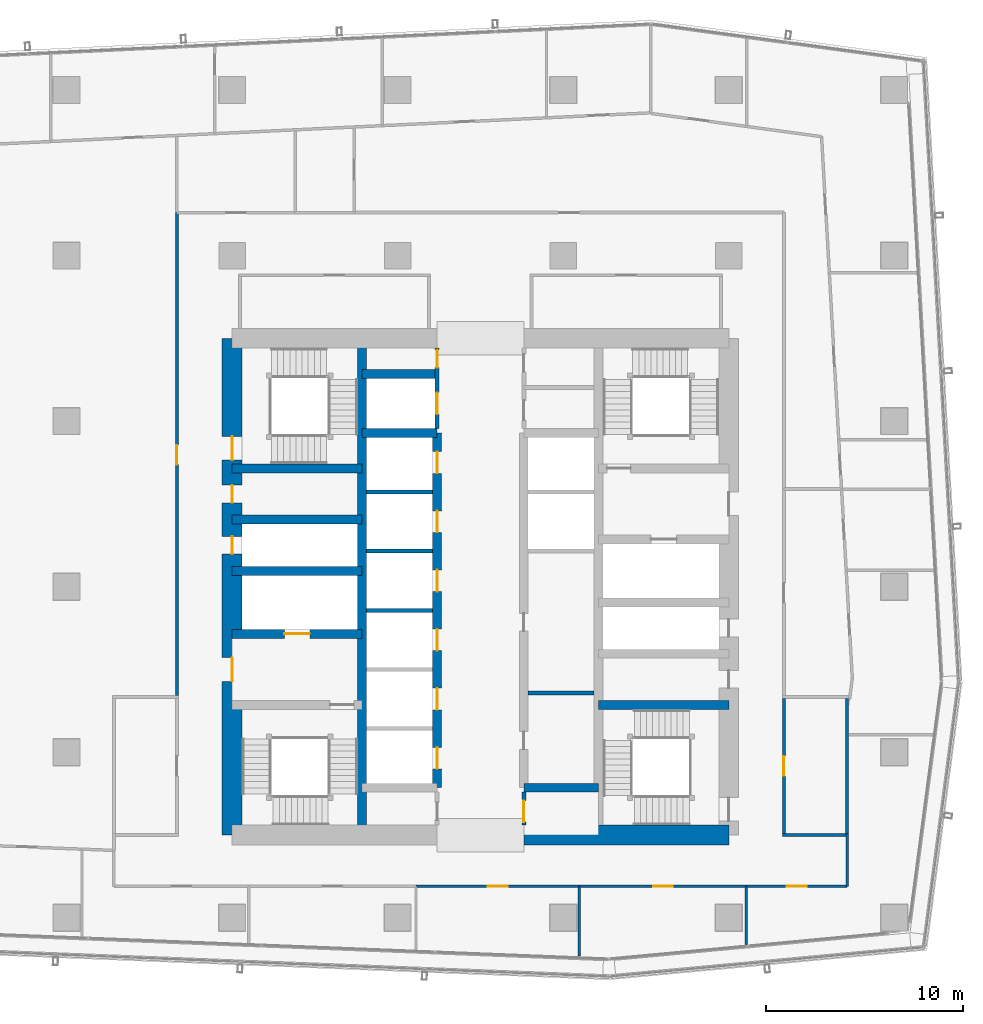
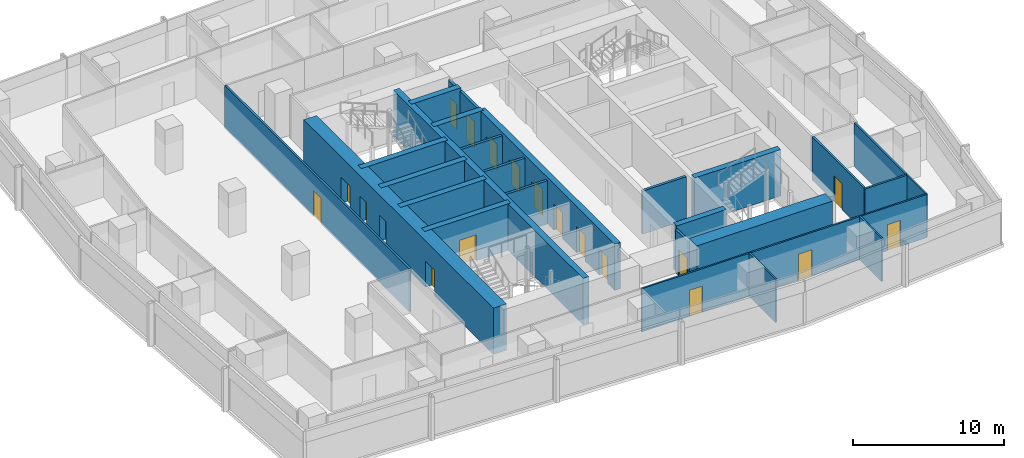
# One storey, part 28 of 39: 28 walls, 19 doors, 19 openings.
"""IFC4 building model written with IfcOpenShell, lengths in metres."""

from ifc_helpers import new_model, si_unit, direction, frame, frame_2d, origin, place, context, subcontext, project, spatial, rectangle, extrude, material, layer, layer_set, type_object, element, fill, save


model = new_model("IFC4")

# Units and contexts
model_context = context("Model", 3, precision=1e-05, world=origin(), true_north=direction((0.0, 1.0)))
body_context = subcontext(model_context, "Body", "Model", "MODEL_VIEW")
ifc_project = project(units=[si_unit("LENGTHUNIT", "METRE"), si_unit("AREAUNIT", "SQUARE_METRE"), si_unit("VOLUMEUNIT", "CUBIC_METRE"), si_unit("PLANEANGLEUNIT", "RADIAN"), si_unit("MASSUNIT", "GRAM", prefix="KILO")], contexts=[model_context])

# Site, building, storey
site_placement = place(None, origin())
site = spatial("IfcSite", under=ifc_project, at=site_placement, CompositionType="ELEMENT")
building_placement = place(site_placement, origin())
building = spatial("IfcBuilding", under=site, at=building_placement, Name="Rekha Terrace Tower", CompositionType="ELEMENT")
storey_placement = place(building_placement, frame((0.0, 0.0, 187.699951171875)))
storey = spatial("IfcBuildingStorey", under=building, at=storey_placement, Name="L47", CompositionType="ELEMENT", Elevation=187.699951171875)

# Wall
ifc_material_1 = material(Name="Concrete M60", Category="concrete")
ifc_layer_1 = layer(ifc_material_1, 0.449951171875)
ifc_layer_set_1 = layer_set([ifc_layer_1], Name="Concrete M60")
wall_type_1 = type_object("IfcWallType", Name="CI3 450 core internal shear wall", PredefinedType="SHEAR", material=ifc_layer_set_1)
wall_1_placement = place(storey_placement, frame((31.800048828125, 21.0, 0.0), z_axis=(0.0, 0.0, 1.0), x_axis=(0.0, 1.0, 0.0)))
element("IfcWall", 1, at=wall_1_placement, inside=storey, type_object=wall_type_1, Name="Core wall X318 L47", PredefinedType="SHEAR", context=body_context, shape_type="SweptSolid", body=[
    extrude(rectangle(XDim=25.199951171875, YDim=0.449951171875, at=frame_2d((12.60009765625, 0.0))), origin(), (0.0, 0.0, 1.0), 3.75),
])

# Wall, openings, doors
wall_2_placement = place(storey_placement, frame((35.60009765625, 23.39990234375, 0.0), z_axis=(0.0, 0.0, 1.0), x_axis=(0.0, 1.0, 0.0)))
wall_2 = element("IfcWall", 2, at=wall_2_placement, inside=storey, type_object=wall_type_1, Name="Core wall X356 L47", PredefinedType="SHEAR", context=body_context, shape_type="SweptSolid", body=[
    extrude(rectangle(XDim=18.0, YDim=0.449951171875, at=frame_2d((9.0, 0.0))), origin(), (0.0, 0.0, 1.0), 3.75),
])
opening_1_placement = place(wall_2_placement, frame((0.949951171875, 0.0, 0.0)))
opening_1 = element("IfcOpeningElement", 3, at=opening_1_placement, cuts=wall_2, Name="Opening LD1", PredefinedType="OPENING", context=body_context, shape_type="SweptSolid", body=[
    extrude(rectangle(XDim=1.10009765625, YDim=2.10009765625, at=frame_2d((0.550048828125, 1.050048828125))), frame((0.0, 0.23486328125, 0.0), z_axis=(0.0, -1.0, 0.0), x_axis=(1.0, 0.0, 0.0)), (0.0, 0.0, 1.0), 0.469970703125),
])
opening_2_placement = place(wall_2_placement, frame((3.949951171875, 0.0, 0.0)))
opening_2 = element("IfcOpeningElement", 4, at=opening_2_placement, cuts=wall_2, Name="Opening LD1", PredefinedType="OPENING", context=body_context, shape_type="SweptSolid", body=[
    extrude(rectangle(XDim=1.10009765625, YDim=2.10009765625, at=frame_2d((0.550048828125, 1.050048828125))), frame((0.0, 0.23486328125, 0.0), z_axis=(0.0, -1.0, 0.0), x_axis=(1.0, 0.0, 0.0)), (0.0, 0.0, 1.0), 0.469970703125),
])
opening_3_placement = place(wall_2_placement, frame((6.949951171875, 0.0, 0.0)))
opening_3 = element("IfcOpeningElement", 5, at=opening_3_placement, cuts=wall_2, Name="Opening LD1", PredefinedType="OPENING", context=body_context, shape_type="SweptSolid", body=[
    extrude(rectangle(XDim=1.10009765625, YDim=2.10009765625, at=frame_2d((0.550048828125, 1.050048828125))), frame((0.0, 0.23486328125, 0.0), z_axis=(0.0, -1.0, 0.0), x_axis=(1.0, 0.0, 0.0)), (0.0, 0.0, 1.0), 0.469970703125),
])
opening_4_placement = place(wall_2_placement, frame((9.949951171875, 0.0, 0.0)))
opening_4 = element("IfcOpeningElement", 6, at=opening_4_placement, cuts=wall_2, Name="Opening LD1", PredefinedType="OPENING", context=body_context, shape_type="SweptSolid", body=[
    extrude(rectangle(XDim=1.10009765625, YDim=2.10009765625, at=frame_2d((0.550048828125, 1.050048828125))), frame((0.0, 0.23486328125, 0.0), z_axis=(0.0, -1.0, 0.0), x_axis=(1.0, 0.0, 0.0)), (0.0, 0.0, 1.0), 0.469970703125),
])
opening_5_placement = place(wall_2_placement, frame((12.949951171875, 0.0, 0.0)))
opening_5 = element("IfcOpeningElement", 7, at=opening_5_placement, cuts=wall_2, Name="Opening LD1", PredefinedType="OPENING", context=body_context, shape_type="SweptSolid", body=[
    extrude(rectangle(XDim=1.10009765625, YDim=2.10009765625, at=frame_2d((0.550048828125, 1.050048828125))), frame((0.0, 0.23486328125, 0.0), z_axis=(0.0, -1.0, 0.0), x_axis=(1.0, 0.0, 0.0)), (0.0, 0.0, 1.0), 0.469970703125),
])
opening_6_placement = place(wall_2_placement, frame((15.949951171875, 0.0, 0.0)))
opening_6 = element("IfcOpeningElement", 8, at=opening_6_placement, cuts=wall_2, Name="Opening LD1", PredefinedType="OPENING", context=body_context, shape_type="SweptSolid", body=[
    extrude(rectangle(XDim=1.10009765625, YDim=2.10009765625, at=frame_2d((0.550048828125, 1.050048828125))), frame((0.0, 0.23486328125, 0.0), z_axis=(0.0, -1.0, 0.0), x_axis=(1.0, 0.0, 0.0)), (0.0, 0.0, 1.0), 0.469970703125),
])
ifc_material_2 = material(Name="Stainless steel sliding landing door", Category="steel")
door_type_1 = type_object("IfcDoorType", Name="LD1 1100x2100 lift landing door", OperationType="SLIDING_TO_LEFT", PredefinedType="USERDEFINED", material=ifc_material_2)
door_1_placement = place(opening_1_placement, origin())
door_1 = element("IfcDoor", 9, at=door_1_placement, inside=storey, type_object=door_type_1, Name="Lift C1 landing door L47", ObjectType="LIFT LANDING DOOR", OperationType="SLIDING_TO_LEFT", OverallHeight=2.10009765625, OverallWidth=1.10009765625, PredefinedType="USERDEFINED", context=body_context, shape_type="SweptSolid", body=[
    extrude(rectangle(XDim=1.10009765625, YDim=2.10009765625, at=frame_2d((0.550048828125, 1.050048828125))), frame((0.0, 0.02490234375, 0.0), z_axis=(0.0, -1.0, 0.0), x_axis=(1.0, 0.0, 0.0)), (0.0, 0.0, 1.0), 0.050048828125),
])
fill(opening_1, door_1)
door_2_placement = place(opening_2_placement, origin())
door_2 = element("IfcDoor", 10, at=door_2_placement, inside=storey, type_object=door_type_1, Name="Lift C2 landing door L47", ObjectType="LIFT LANDING DOOR", OperationType="SLIDING_TO_LEFT", OverallHeight=2.10009765625, OverallWidth=1.10009765625, PredefinedType="USERDEFINED", context=body_context, shape_type="SweptSolid", body=[
    extrude(rectangle(XDim=1.10009765625, YDim=2.10009765625, at=frame_2d((0.550048828125, 1.050048828125))), frame((0.0, 0.02490234375, 0.0), z_axis=(0.0, -1.0, 0.0), x_axis=(1.0, 0.0, 0.0)), (0.0, 0.0, 1.0), 0.050048828125),
])
fill(opening_2, door_2)
door_3_placement = place(opening_3_placement, origin())
door_3 = element("IfcDoor", 11, at=door_3_placement, inside=storey, type_object=door_type_1, Name="Lift C3 landing door L47", ObjectType="LIFT LANDING DOOR", OperationType="SLIDING_TO_LEFT", OverallHeight=2.10009765625, OverallWidth=1.10009765625, PredefinedType="USERDEFINED", context=body_context, shape_type="SweptSolid", body=[
    extrude(rectangle(XDim=1.10009765625, YDim=2.10009765625, at=frame_2d((0.550048828125, 1.050048828125))), frame((0.0, 0.02490234375, 0.0), z_axis=(0.0, -1.0, 0.0), x_axis=(1.0, 0.0, 0.0)), (0.0, 0.0, 1.0), 0.050048828125),
])
fill(opening_3, door_3)
door_4_placement = place(opening_4_placement, origin())
door_4 = element("IfcDoor", 12, at=door_4_placement, inside=storey, type_object=door_type_1, Name="Lift C4 landing door L47", ObjectType="LIFT LANDING DOOR", OperationType="SLIDING_TO_LEFT", OverallHeight=2.10009765625, OverallWidth=1.10009765625, PredefinedType="USERDEFINED", context=body_context, shape_type="SweptSolid", body=[
    extrude(rectangle(XDim=1.10009765625, YDim=2.10009765625, at=frame_2d((0.550048828125, 1.050048828125))), frame((0.0, 0.02490234375, 0.0), z_axis=(0.0, -1.0, 0.0), x_axis=(1.0, 0.0, 0.0)), (0.0, 0.0, 1.0), 0.050048828125),
])
fill(opening_4, door_4)
door_5_placement = place(opening_5_placement, origin())
door_5 = element("IfcDoor", 13, at=door_5_placement, inside=storey, type_object=door_type_1, Name="Lift C5 landing door L47", ObjectType="LIFT LANDING DOOR", OperationType="SLIDING_TO_LEFT", OverallHeight=2.10009765625, OverallWidth=1.10009765625, PredefinedType="USERDEFINED", context=body_context, shape_type="SweptSolid", body=[
    extrude(rectangle(XDim=1.10009765625, YDim=2.10009765625, at=frame_2d((0.550048828125, 1.050048828125))), frame((0.0, 0.02490234375, 0.0), z_axis=(0.0, -1.0, 0.0), x_axis=(1.0, 0.0, 0.0)), (0.0, 0.0, 1.0), 0.050048828125),
])
fill(opening_5, door_5)
door_6_placement = place(opening_6_placement, origin())
door_6 = element("IfcDoor", 14, at=door_6_placement, inside=storey, type_object=door_type_1, Name="Lift C6 landing door L47", ObjectType="LIFT LANDING DOOR", OperationType="SLIDING_TO_LEFT", OverallHeight=2.10009765625, OverallWidth=1.10009765625, PredefinedType="USERDEFINED", context=body_context, shape_type="SweptSolid", body=[
    extrude(rectangle(XDim=1.10009765625, YDim=2.10009765625, at=frame_2d((0.550048828125, 1.050048828125))), frame((0.0, 0.02490234375, 0.0), z_axis=(0.0, -1.0, 0.0), x_axis=(1.0, 0.0, 0.0)), (0.0, 0.0, 1.0), 0.050048828125),
])
fill(opening_6, door_6)

# Walls
for number, where, z_axis, x_axis, name in (
    (15, (31.800048828125, 41.39990234375, 0.0), (0.0, 0.0, 1.0), (1.0, 0.0, 0.0), "Core wall Y414W L47"),
    (16, (31.800048828125, 44.39990234375, 0.0), (0.0, 0.0, 1.0), (1.0, 0.0, 0.0), "Core wall Y444W L47"),
    (17, (40.0, 23.39990234375, 0.0), (0.0, 0.0, 1.0), (1.0, 0.0, 0.0), "Core wall Y234E L47"),
):
    element("IfcWall", number, at=place(storey_placement, frame(where, z_axis=z_axis, x_axis=x_axis)), inside=storey, type_object=wall_type_1, Name=name, PredefinedType="SHEAR", context=body_context, shape_type="SweptSolid", body=[
        extrude(rectangle(XDim=3.800048828125, YDim=0.449951171875, at=frame_2d((1.89990234375, 0.0))), origin(), (0.0, 0.0, 1.0), 3.75),
    ])

# Wall, opening, door
wall_3_placement = place(storey_placement, frame((25.199951171875, 31.199951171875, 0.0), z_axis=(0.0, 0.0, 1.0), x_axis=(1.0, 0.0, 0.0)))
wall_3 = element("IfcWall", 18, at=wall_3_placement, inside=storey, type_object=wall_type_1, Name="Core wall Y312W L47", PredefinedType="SHEAR", context=body_context, shape_type="SweptSolid", body=[
    extrude(rectangle(XDim=6.60009765625, YDim=0.449951171875, at=frame_2d((3.300048828125, 0.0))), origin(), (0.0, 0.0, 1.0), 3.75),
])
opening_7_placement = place(wall_3_placement, frame((2.64990234375, 0.0, 0.0)))
opening_7 = element("IfcOpeningElement", 19, at=opening_7_placement, cuts=wall_3, Name="Opening LD2", PredefinedType="OPENING", context=body_context, shape_type="SweptSolid", body=[
    extrude(rectangle(XDim=1.300048828125, YDim=2.10009765625, at=frame_2d((0.64990234375, 1.050048828125))), frame((0.0, 0.23486328125, 0.0), z_axis=(0.0, -1.0, 0.0), x_axis=(1.0, 0.0, 0.0)), (0.0, 0.0, 1.0), 0.469970703125),
])
door_type_2 = type_object("IfcDoorType", Name="LD2 1300x2100 fire lift landing door", OperationType="SLIDING_TO_LEFT", PredefinedType="USERDEFINED", material=ifc_material_2)
door_7_placement = place(opening_7_placement, origin())
door_7 = element("IfcDoor", 20, at=door_7_placement, inside=storey, type_object=door_type_2, Name="Lift FL1 landing door L47", ObjectType="LIFT LANDING DOOR", OperationType="SLIDING_TO_LEFT", OverallHeight=2.10009765625, OverallWidth=1.300048828125, PredefinedType="USERDEFINED", context=body_context, shape_type="SweptSolid", body=[
    extrude(rectangle(XDim=1.300048828125, YDim=2.10009765625, at=frame_2d((0.64990234375, 1.050048828125))), frame((0.0, 0.02490234375, 0.0), z_axis=(0.0, -1.0, 0.0), x_axis=(1.0, 0.0, 0.0)), (0.0, 0.0, 1.0), 0.050048828125),
])
fill(opening_7, door_7)

# Walls
for number, where, z_axis, x_axis, name in (
    (21, (25.199951171875, 34.39990234375, 0.0), (0.0, 0.0, 1.0), (1.0, 0.0, 0.0), "Core wall Y344W L47"),
    (22, (25.199951171875, 37.0, 0.0), (0.0, 0.0, 1.0), (1.0, 0.0, 0.0), "Core wall Y370W L47"),
    (23, (25.199951171875, 39.60009765625, 0.0), (0.0, 0.0, 1.0), (1.0, 0.0, 0.0), "Core wall Y396W L47"),
):
    element("IfcWall", number, at=place(storey_placement, frame(where, z_axis=z_axis, x_axis=x_axis)), inside=storey, type_object=wall_type_1, Name=name, PredefinedType="SHEAR", context=body_context, shape_type="SweptSolid", body=[
        extrude(rectangle(XDim=6.60009765625, YDim=0.449951171875, at=frame_2d((3.300048828125, 0.0))), origin(), (0.0, 0.0, 1.0), 3.75),
    ])
wall_4_placement = place(storey_placement, frame((43.800048828125, 27.60009765625, 0.0), z_axis=(0.0, 0.0, 1.0), x_axis=(1.0, 0.0, 0.0)))
element("IfcWall", 24, at=wall_4_placement, inside=storey, type_object=wall_type_1, Name="Core wall Y276E L47", PredefinedType="SHEAR", context=body_context, shape_type="SweptSolid", body=[
    extrude(rectangle(XDim=6.599853515625, YDim=0.449951171875, at=frame_2d((3.2998046875, 0.0))), origin(), (0.0, 0.0, 1.0), 3.75),
])
ifc_layer_2 = layer(ifc_material_1, 1.0)
ifc_layer_set_2 = layer_set([ifc_layer_2], Name="Concrete M60")
wall_type_2 = type_object("IfcWallType", Name="SW3 1000 core outer shear wall", PredefinedType="SHEAR", material=ifc_layer_set_2)
wall_5_placement = place(storey_placement, frame((40.0, 21.0, 0.0), z_axis=(0.0, 0.0, 1.0), x_axis=(1.0, 0.0, 0.0)))
element("IfcWall", 25, at=wall_5_placement, inside=storey, type_object=wall_type_2, Name="Core wall S2 L47", PredefinedType="SHEAR", context=body_context, shape_type="SweptSolid", body=[
    extrude(rectangle(XDim=10.39990234375, YDim=1.0, at=frame_2d((5.199951171875, 0.0))), origin(), (0.0, 0.0, 1.0), 3.75),
])

# Wall, openings, doors
wall_6_placement = place(storey_placement, frame((25.199951171875, 21.0, 0.0), z_axis=(0.0, 0.0, 1.0), x_axis=(0.0, 1.0, 0.0)))
wall_6 = element("IfcWall", 26, at=wall_6_placement, inside=storey, type_object=wall_type_2, Name="Core wall W L47", PredefinedType="SHEAR", context=body_context, shape_type="SweptSolid", body=[
    extrude(rectangle(XDim=25.199951171875, YDim=1.0, at=frame_2d((12.60009765625, 0.0))), origin(), (0.0, 0.0, 1.0), 3.75),
])
opening_8_placement = place(wall_6_placement, frame((7.800048828125, 0.0, 0.0)))
opening_8 = element("IfcOpeningElement", 27, at=opening_8_placement, cuts=wall_6, Name="Opening D2", PredefinedType="OPENING", context=body_context, shape_type="SweptSolid", body=[
    extrude(rectangle(XDim=1.199951171875, YDim=2.10009765625, at=frame_2d((0.60009765625, 1.050048828125))), frame((0.0, 0.510009765625, 0.0), z_axis=(0.0, -1.0, 0.0), x_axis=(1.0, 0.0, 0.0)), (0.0, 0.0, 1.0), 1.02001953125),
])
opening_9_placement = place(wall_6_placement, frame((14.25, 0.0, 0.0)))
opening_9 = element("IfcOpeningElement", 28, at=opening_9_placement, cuts=wall_6, Name="Opening D5", PredefinedType="OPENING", context=body_context, shape_type="SweptSolid", body=[
    extrude(rectangle(XDim=0.89990234375, YDim=2.10009765625, at=frame_2d((0.449951171875, 1.050048828125))), frame((0.0, 0.510009765625, 0.0), z_axis=(0.0, -1.0, 0.0), x_axis=(1.0, 0.0, 0.0)), (0.0, 0.0, 1.0), 1.02001953125),
])
opening_10_placement = place(wall_6_placement, frame((16.85009765625, 0.0, 0.0)))
opening_10 = element("IfcOpeningElement", 29, at=opening_10_placement, cuts=wall_6, Name="Opening D5", PredefinedType="OPENING", context=body_context, shape_type="SweptSolid", body=[
    extrude(rectangle(XDim=0.89990234375, YDim=2.10009765625, at=frame_2d((0.449951171875, 1.050048828125))), frame((0.0, 0.510009765625, 0.0), z_axis=(0.0, -1.0, 0.0), x_axis=(1.0, 0.0, 0.0)), (0.0, 0.0, 1.0), 1.02001953125),
])
opening_11_placement = place(wall_6_placement, frame((19.02490234375, 0.0, 0.0)))
opening_11 = element("IfcOpeningElement", 30, at=opening_11_placement, cuts=wall_6, Name="Opening D1", PredefinedType="OPENING", context=body_context, shape_type="SweptSolid", body=[
    extrude(rectangle(XDim=1.199951171875, YDim=2.10009765625, at=frame_2d((0.60009765625, 1.050048828125))), frame((0.0, 0.510009765625, 0.0), z_axis=(0.0, -1.0, 0.0), x_axis=(1.0, 0.0, 0.0)), (0.0, 0.0, 1.0), 1.02001953125),
])
ifc_material_3 = material(Name="Steel fire door", Category="steel")
door_type_3 = type_object("IfcDoorType", Name="D1 1200x2100 stair fire door", OperationType="SINGLE_SWING_RIGHT", PredefinedType="DOOR", material=ifc_material_3)
door_8_placement = place(opening_11_placement, origin())
door_8 = element("IfcDoor", 31, at=door_8_placement, inside=storey, type_object=door_type_3, Name="Stair ST4 door L47", OperationType="SINGLE_SWING_RIGHT", OverallHeight=2.10009765625, OverallWidth=1.199951171875, PredefinedType="DOOR", context=body_context, shape_type="SweptSolid", body=[
    extrude(rectangle(XDim=1.199951171875, YDim=2.10009765625, at=frame_2d((0.60009765625, 1.050048828125))), frame((0.0, 0.02490234375, 0.0), z_axis=(0.0, -1.0, 0.0), x_axis=(1.0, 0.0, 0.0)), (0.0, 0.0, 1.0), 0.050048828125),
])
fill(opening_11, door_8)
door_type_4 = type_object("IfcDoorType", Name="D2 1200x2100 firefighting lobby door", OperationType="SINGLE_SWING_LEFT", PredefinedType="DOOR", material=ifc_material_3)
door_9_placement = place(opening_8_placement, origin())
door_9 = element("IfcDoor", 32, at=door_9_placement, inside=storey, type_object=door_type_4, Name="Door flb1 L47", OperationType="SINGLE_SWING_LEFT", OverallHeight=2.10009765625, OverallWidth=1.199951171875, PredefinedType="DOOR", context=body_context, shape_type="SweptSolid", body=[
    extrude(rectangle(XDim=1.199951171875, YDim=2.10009765625, at=frame_2d((0.60009765625, 1.050048828125))), frame((0.0, 0.02490234375, 0.0), z_axis=(0.0, -1.0, 0.0), x_axis=(1.0, 0.0, 0.0)), (0.0, 0.0, 1.0), 0.050048828125),
])
fill(opening_8, door_9)
door_type_5 = type_object("IfcDoorType", Name="D5 900x2100 riser access door", OperationType="SINGLE_SWING_LEFT", PredefinedType="DOOR", material=ifc_material_3)
door_10_placement = place(opening_9_placement, origin())
door_10 = element("IfcDoor", 33, at=door_10_placement, inside=storey, type_object=door_type_5, Name="Door rs1 L47", OperationType="SINGLE_SWING_LEFT", OverallHeight=2.10009765625, OverallWidth=0.89990234375, PredefinedType="DOOR", context=body_context, shape_type="SweptSolid", body=[
    extrude(rectangle(XDim=0.89990234375, YDim=2.10009765625, at=frame_2d((0.449951171875, 1.050048828125))), frame((0.0, 0.02490234375, 0.0), z_axis=(0.0, -1.0, 0.0), x_axis=(1.0, 0.0, 0.0)), (0.0, 0.0, 1.0), 0.050048828125),
])
fill(opening_9, door_10)
door_11_placement = place(opening_10_placement, origin())
door_11 = element("IfcDoor", 34, at=door_11_placement, inside=storey, type_object=door_type_5, Name="Door elw L47", OperationType="SINGLE_SWING_LEFT", OverallHeight=2.10009765625, OverallWidth=0.89990234375, PredefinedType="DOOR", context=body_context, shape_type="SweptSolid", body=[
    extrude(rectangle(XDim=0.89990234375, YDim=2.10009765625, at=frame_2d((0.449951171875, 1.050048828125))), frame((0.0, 0.02490234375, 0.0), z_axis=(0.0, -1.0, 0.0), x_axis=(1.0, 0.0, 0.0)), (0.0, 0.0, 1.0), 0.050048828125),
])
fill(opening_10, door_11)

# Wall
ifc_material_4 = material(Name="Concrete block masonry, 1 hour", Category="masonry")
ifc_layer_3 = layer(ifc_material_4, 0.14990234375)
ifc_layer_set_3 = layer_set([ifc_layer_3], Name="Concrete block masonry, 1 hour")
wall_type_3 = type_object("IfcWallType", Name="WP2 150 tenancy partition", PredefinedType="PARTITIONING", material=ifc_layer_set_3)
wall_7_placement = place(storey_placement, frame((53.125, 21.0, 0.0), z_axis=(0.0, 0.0, 1.0), x_axis=(1.0, 0.0, 0.0)))
element("IfcWall", 35, at=wall_7_placement, inside=storey, type_object=wall_type_3, Name="Men's WC wall L47", PredefinedType="PARTITIONING", context=body_context, shape_type="SweptSolid", body=[
    extrude(rectangle(XDim=3.35009765625, YDim=0.14990234375, at=frame_2d((1.675048828125, 0.0))), origin(), (0.0, 0.0, 1.0), 3.5),
])

# Wall, opening, door
wall_8_placement = place(storey_placement, frame((53.199951171875, 21.074951171875, 0.0), z_axis=(0.0, 0.0, 1.0), x_axis=(0.0, 1.0, 0.0)))
wall_8 = element("IfcWall", 36, at=wall_8_placement, inside=storey, type_object=wall_type_3, Name="Men's WC wall L47", PredefinedType="PARTITIONING", context=body_context, shape_type="SweptSolid", body=[
    extrude(rectangle(XDim=6.85009765625, YDim=0.14990234375, at=frame_2d((3.425048828125, 0.0))), origin(), (0.0, 0.0, 1.0), 3.5),
])
opening_12_placement = place(wall_8_placement, frame((2.925048828125, 0.0, 0.0)))
opening_12 = element("IfcOpeningElement", 37, at=opening_12_placement, cuts=wall_8, Name="Opening D3", PredefinedType="OPENING", context=body_context, shape_type="SweptSolid", body=[
    extrude(rectangle(XDim=1.0, YDim=2.10009765625, at=frame_2d((0.5, 1.050048828125))), frame((0.0, 0.0849609375, 0.0), z_axis=(0.0, -1.0, 0.0), x_axis=(1.0, 0.0, 0.0)), (0.0, 0.0, 1.0), 0.169921875),
])
ifc_material_5 = material(Name="Laminated timber fire door", Category="wood")
door_type_6 = type_object("IfcDoorType", Name="D3 1000x2100 WC door", OperationType="SINGLE_SWING_LEFT", PredefinedType="DOOR", material=ifc_material_5)
door_12_placement = place(opening_12_placement, origin())
door_12 = element("IfcDoor", 38, at=door_12_placement, inside=storey, type_object=door_type_6, Name="Door men's wc L47", OperationType="SINGLE_SWING_LEFT", OverallHeight=2.10009765625, OverallWidth=1.0, PredefinedType="DOOR", context=body_context, shape_type="SweptSolid", body=[
    extrude(rectangle(XDim=1.0, YDim=2.10009765625, at=frame_2d((0.5, 1.050048828125))), frame((0.0, 0.02490234375, 0.0), z_axis=(0.0, -1.0, 0.0), x_axis=(1.0, 0.0, 0.0)), (0.0, 0.0, 1.0), 0.050048828125),
])
fill(opening_12, door_12)

# Wall
wall_9_placement = place(storey_placement, frame((56.39990234375, 21.074951171875, 0.0), z_axis=(0.0, 0.0, 1.0), x_axis=(0.0, 1.0, 0.0)))
element("IfcWall", 39, at=wall_9_placement, inside=storey, type_object=wall_type_3, Name="Men's WC wall L47", PredefinedType="PARTITIONING", context=body_context, shape_type="SweptSolid", body=[
    extrude(rectangle(XDim=6.85009765625, YDim=0.14990234375, at=frame_2d((3.425048828125, 0.0))), origin(), (0.0, 0.0, 1.0), 3.5),
])

# Wall, opening, door
wall_10_placement = place(storey_placement, frame((22.39990234375, 52.574951171875, 0.0), z_axis=(0.0, 0.0, 1.0), x_axis=(0.0, -1.0, 0.0)))
wall_10 = element("IfcWall", 40, at=wall_10_placement, inside=storey, type_object=wall_type_3, Name="Partition L47-O2b", PredefinedType="PARTITIONING", context=body_context, shape_type="SweptSolid", body=[
    extrude(rectangle(XDim=24.5, YDim=0.14990234375, at=frame_2d((12.25, 0.0))), origin(), (0.0, 0.0, 1.0), 3.5),
])
opening_13_placement = place(wall_10_placement, frame((11.7880859375, 0.0, 0.0)))
opening_13 = element("IfcOpeningElement", 41, at=opening_13_placement, cuts=wall_10, Name="Opening D9", PredefinedType="OPENING", context=body_context, shape_type="SweptSolid", body=[
    extrude(rectangle(XDim=1.0, YDim=2.10009765625, at=frame_2d((0.5, 1.050048828125))), frame((0.0, 0.0849609375, 0.0), z_axis=(0.0, -1.0, 0.0), x_axis=(1.0, 0.0, 0.0)), (0.0, 0.0, 1.0), 0.169921875),
])
ifc_material_6 = material(Name="Timber fire door", Category="wood")
door_type_7 = type_object("IfcDoorType", Name="D9 1000x2100 office door", OperationType="SINGLE_SWING_LEFT", PredefinedType="DOOR", material=ifc_material_6)
door_13_placement = place(opening_13_placement, origin())
door_13 = element("IfcDoor", 42, at=door_13_placement, inside=storey, type_object=door_type_7, Name="Door open-plan office L47", OperationType="SINGLE_SWING_LEFT", OverallHeight=2.10009765625, OverallWidth=1.0, PredefinedType="DOOR", context=body_context, shape_type="SweptSolid", body=[
    extrude(rectangle(XDim=1.0, YDim=2.10009765625, at=frame_2d((0.5, 1.050048828125))), frame((0.0, 0.02490234375, 0.0), z_axis=(0.0, -1.0, 0.0), x_axis=(1.0, 0.0, 0.0)), (0.0, 0.0, 1.0), 0.050048828125),
])
fill(opening_13, door_13)

ifc_material_7 = material(Name="Two layers of fire-rated gypsum board each side on steel studs, acoustic quilt, 1 hour", Category="steel")
ifc_layer_4 = layer(ifc_material_7, 0.125)
ifc_layer_set_4 = layer_set([ifc_layer_4], Name="Two layers of fire-rated gypsum board each side on steel studs, acoustic quilt, 1 hour")
wall_type_4 = type_object("IfcWallType", Name="WP3 125 office partition", PredefinedType="PARTITIONING", material=ifc_layer_set_4)
wall_11_placement = place(storey_placement, frame((34.531005859375, 18.39990234375, 0.0), z_axis=(0.0, 0.0, 1.0), x_axis=(1.0, 0.0, 0.0)))
wall_11 = element("IfcWall", 43, at=wall_11_placement, inside=storey, type_object=wall_type_4, Name="Partition L47-02", PredefinedType="PARTITIONING", context=body_context, shape_type="SweptSolid", body=[
    extrude(rectangle(XDim=8.2919921875, YDim=0.125, at=frame_2d((4.14599609375, 0.0))), origin(), (0.0, 0.0, 1.0), 3.5),
])
opening_14_placement = place(wall_11_placement, frame((3.64599609375, 0.0, 0.0)))
opening_14 = element("IfcOpeningElement", 44, at=opening_14_placement, cuts=wall_11, Name="Opening D9", PredefinedType="OPENING", context=body_context, shape_type="SweptSolid", body=[
    extrude(rectangle(XDim=1.0, YDim=2.10009765625, at=frame_2d((0.5, 1.050048828125))), frame((0.0, 0.072509765625, 0.0), z_axis=(0.0, -1.0, 0.0), x_axis=(1.0, 0.0, 0.0)), (0.0, 0.0, 1.0), 0.14501953125),
])
door_14_placement = place(opening_14_placement, origin())
door_14 = element("IfcDoor", 45, at=door_14_placement, inside=storey, type_object=door_type_7, Name="Door meeting room L47", OperationType="SINGLE_SWING_LEFT", OverallHeight=2.10009765625, OverallWidth=1.0, PredefinedType="DOOR", context=body_context, shape_type="SweptSolid", body=[
    extrude(rectangle(XDim=1.0, YDim=2.10009765625, at=frame_2d((0.5, 1.050048828125))), frame((0.0, 0.02490234375, 0.0), z_axis=(0.0, -1.0, 0.0), x_axis=(1.0, 0.0, 0.0)), (0.0, 0.0, 1.0), 0.050048828125),
])
fill(opening_14, door_14)

# Wall
wall_12_placement = place(storey_placement, frame((42.822998046875, 18.39990234375, 0.0), z_axis=(0.0, 0.0, 1.0), x_axis=(0.0, -1.0, 0.0)))
element("IfcWall", 46, at=wall_12_placement, inside=storey, type_object=wall_type_4, Name="Partition L47-02", PredefinedType="PARTITIONING", context=body_context, shape_type="SweptSolid", body=[
    extrude(rectangle(XDim=3.548828125, YDim=0.125, at=frame_2d((1.7744140625, 0.0))), origin(), (0.0, 0.0, 1.0), 3.5),
])

# Wall, opening, door
wall_13_placement = place(storey_placement, frame((42.823974609375, 18.39990234375, 0.0), z_axis=(0.0, 0.0, 1.0), x_axis=(1.0, 0.0, 0.0)))
wall_13 = element("IfcWall", 47, at=wall_13_placement, inside=storey, type_object=wall_type_4, Name="Partition L47-03", PredefinedType="PARTITIONING", context=body_context, shape_type="SweptSolid", body=[
    extrude(rectangle(XDim=8.466064453125, YDim=0.125, at=frame_2d((4.23291015625, 0.0))), origin(), (0.0, 0.0, 1.0), 3.5),
])
opening_15_placement = place(wall_13_placement, frame((3.73291015625, 0.0, 0.0)))
opening_15 = element("IfcOpeningElement", 48, at=opening_15_placement, cuts=wall_13, Name="Opening D9", PredefinedType="OPENING", context=body_context, shape_type="SweptSolid", body=[
    extrude(rectangle(XDim=1.0, YDim=2.10009765625, at=frame_2d((0.5, 1.050048828125))), frame((0.0, 0.072509765625, 0.0), z_axis=(0.0, -1.0, 0.0), x_axis=(1.0, 0.0, 0.0)), (0.0, 0.0, 1.0), 0.14501953125),
])
door_15_placement = place(opening_15_placement, origin())
door_15 = element("IfcDoor", 49, at=door_15_placement, inside=storey, type_object=door_type_7, Name="Door pantry L47", OperationType="SINGLE_SWING_LEFT", OverallHeight=2.10009765625, OverallWidth=1.0, PredefinedType="DOOR", context=body_context, shape_type="SweptSolid", body=[
    extrude(rectangle(XDim=1.0, YDim=2.10009765625, at=frame_2d((0.5, 1.050048828125))), frame((0.0, 0.02490234375, 0.0), z_axis=(0.0, -1.0, 0.0), x_axis=(1.0, 0.0, 0.0)), (0.0, 0.0, 1.0), 0.050048828125),
])
fill(opening_15, door_15)

# Wall
wall_14_placement = place(storey_placement, frame((51.2900390625, 18.39990234375, 0.0), z_axis=(0.0, 0.0, 1.0), x_axis=(0.0, -1.0, 0.0)))
element("IfcWall", 50, at=wall_14_placement, inside=storey, type_object=wall_type_4, Name="Partition L47-03", PredefinedType="PARTITIONING", context=body_context, shape_type="SweptSolid", body=[
    extrude(rectangle(XDim=2.9580078125, YDim=0.125, at=frame_2d((1.47900390625, 0.0))), origin(), (0.0, 0.0, 1.0), 3.5),
])

# Wall, opening, door
wall_15_placement = place(storey_placement, frame((51.291015625, 18.39990234375, 0.0), z_axis=(0.0, 0.0, 1.0), x_axis=(1.0, 0.0, 0.0)))
wall_15 = element("IfcWall", 51, at=wall_15_placement, inside=storey, type_object=wall_type_4, Name="Partition L47-04", PredefinedType="PARTITIONING", context=body_context, shape_type="SweptSolid", body=[
    extrude(rectangle(XDim=5.10888671875, YDim=0.125, at=frame_2d((2.554443359375, 0.0))), origin(), (0.0, 0.0, 1.0), 3.5),
])
opening_16_placement = place(wall_15_placement, frame((2.054931640625, 0.0, 0.0)))
opening_16 = element("IfcOpeningElement", 52, at=opening_16_placement, cuts=wall_15, Name="Opening D9", PredefinedType="OPENING", context=body_context, shape_type="SweptSolid", body=[
    extrude(rectangle(XDim=1.0, YDim=2.10009765625, at=frame_2d((0.5, 1.050048828125))), frame((0.0, 0.072509765625, 0.0), z_axis=(0.0, -1.0, 0.0), x_axis=(1.0, 0.0, 0.0)), (0.0, 0.0, 1.0), 0.14501953125),
])
door_16_placement = place(opening_16_placement, origin())
door_16 = element("IfcDoor", 53, at=door_16_placement, inside=storey, type_object=door_type_7, Name="Door director's office L47", OperationType="SINGLE_SWING_LEFT", OverallHeight=2.10009765625, OverallWidth=1.0, PredefinedType="DOOR", context=body_context, shape_type="SweptSolid", body=[
    extrude(rectangle(XDim=1.0, YDim=2.10009765625, at=frame_2d((0.5, 1.050048828125))), frame((0.0, 0.02490234375, 0.0), z_axis=(0.0, -1.0, 0.0), x_axis=(1.0, 0.0, 0.0)), (0.0, 0.0, 1.0), 0.050048828125),
])
fill(opening_16, door_16)

# Walls
wall_16_placement = place(storey_placement, frame((56.39990234375, 18.39990234375, 0.0), z_axis=(0.0, 0.0, 1.0), x_axis=(0.0, 1.0, 0.0)))
element("IfcWall", 54, at=wall_16_placement, inside=storey, type_object=wall_type_4, Name="Partition L47-04", PredefinedType="PARTITIONING", context=body_context, shape_type="SweptSolid", body=[
    extrude(rectangle(XDim=2.675048828125, YDim=0.125, at=frame_2d((1.33740234375, 0.0))), origin(), (0.0, 0.0, 1.0), 3.5),
])
ifc_material_8 = material(Name="Solid concrete block masonry, 2 hour", Category="masonry")
ifc_layer_5 = layer(ifc_material_8, 0.199951171875)
ifc_layer_set_5 = layer_set([ifc_layer_5], Name="Solid concrete block masonry, 2 hour")
wall_type_5 = type_object("IfcWallType", Name="WS1 200 stair and shaft enclosure", PredefinedType="PARTITIONING", material=ifc_layer_set_5)
for number, where, z_axis, x_axis, name in (
    (55, (32.02490234375, 32.39990234375, 0.0), (0.0, 0.0, 1.0), (1.0, 0.0, 0.0), "Lift shaft divider L47"),
    (56, (32.02490234375, 35.39990234375, 0.0), (0.0, 0.0, 1.0), (1.0, 0.0, 0.0), "Lift shaft divider L47"),
    (57, (32.02490234375, 38.39990234375, 0.0), (0.0, 0.0, 1.0), (1.0, 0.0, 0.0), "Lift shaft divider L47"),
):
    element("IfcWall", number, at=place(storey_placement, frame(where, z_axis=z_axis, x_axis=x_axis)), inside=storey, type_object=wall_type_5, Name=name, PredefinedType="PARTITIONING", context=body_context, shape_type="SweptSolid", body=[
        extrude(rectangle(XDim=3.35009765625, YDim=0.199951171875, at=frame_2d((1.675048828125, 0.0))), origin(), (0.0, 0.0, 1.0), 3.5),
    ])

# Wall, opening, door
wall_17_placement = place(storey_placement, frame((40.0, 21.5, 0.0), z_axis=(0.0, 0.0, 1.0), x_axis=(0.0, 1.0, 0.0)))
wall_17 = element("IfcWall", 58, at=wall_17_placement, inside=storey, type_object=wall_type_5, Name="Core partition wca L47", PredefinedType="PARTITIONING", context=body_context, shape_type="SweptSolid", body=[
    extrude(rectangle(XDim=1.675048828125, YDim=0.199951171875, at=frame_2d((0.83740234375, 0.0))), origin(), (0.0, 0.0, 1.0), 3.5),
])
opening_17_placement = place(wall_17_placement, frame((0.14990234375, 0.0, 0.0)))
opening_17 = element("IfcOpeningElement", 59, at=opening_17_placement, cuts=wall_17, Name="Opening D4", PredefinedType="OPENING", context=body_context, shape_type="SweptSolid", body=[
    extrude(rectangle(XDim=1.10009765625, YDim=2.10009765625, at=frame_2d((0.550048828125, 1.050048828125))), frame((0.0, 0.10986328125, 0.0), z_axis=(0.0, -1.0, 0.0), x_axis=(1.0, 0.0, 0.0)), (0.0, 0.0, 1.0), 0.219970703125),
])
door_type_8 = type_object("IfcDoorType", Name="D4 1100x2100 accessible WC door", OperationType="SLIDING_TO_LEFT", PredefinedType="DOOR", material=ifc_material_5)
door_17_placement = place(opening_17_placement, origin())
door_17 = element("IfcDoor", 60, at=door_17_placement, inside=storey, type_object=door_type_8, Name="Door wca L47", OperationType="SLIDING_TO_LEFT", OverallHeight=2.10009765625, OverallWidth=1.10009765625, PredefinedType="DOOR", context=body_context, shape_type="SweptSolid", body=[
    extrude(rectangle(XDim=1.10009765625, YDim=2.10009765625, at=frame_2d((0.550048828125, 1.050048828125))), frame((0.0, 0.02490234375, 0.0), z_axis=(0.0, -1.0, 0.0), x_axis=(1.0, 0.0, 0.0)), (0.0, 0.0, 1.0), 0.050048828125),
])
fill(opening_17, door_17)

# Wall, openings, doors
wall_18_placement = place(storey_placement, frame((35.60009765625, 41.625, 0.0), z_axis=(0.0, 0.0, 1.0), x_axis=(0.0, 1.0, 0.0)))
wall_18 = element("IfcWall", 61, at=wall_18_placement, inside=storey, type_object=wall_type_5, Name="Core partition jansv L47", PredefinedType="PARTITIONING", context=body_context, shape_type="SweptSolid", body=[
    extrude(rectangle(XDim=4.074951171875, YDim=0.199951171875, at=frame_2d((2.03759765625, 0.0))), origin(), (0.0, 0.0, 1.0), 3.5),
])
opening_18_placement = place(wall_18_placement, frame((3.087890625, 0.0, 0.0)))
opening_18 = element("IfcOpeningElement", 62, at=opening_18_placement, cuts=wall_18, Name="Opening D5", PredefinedType="OPENING", context=body_context, shape_type="SweptSolid", body=[
    extrude(rectangle(XDim=0.89990234375, YDim=2.10009765625, at=frame_2d((0.449951171875, 1.050048828125))), frame((0.0, 0.10986328125, 0.0), z_axis=(0.0, -1.0, 0.0), x_axis=(1.0, 0.0, 0.0)), (0.0, 0.0, 1.0), 0.219970703125),
])
opening_19_placement = place(wall_18_placement, frame((0.72509765625, 0.0, 0.0)))
opening_19 = element("IfcOpeningElement", 63, at=opening_19_placement, cuts=wall_18, Name="Opening LD1", PredefinedType="OPENING", context=body_context, shape_type="SweptSolid", body=[
    extrude(rectangle(XDim=1.10009765625, YDim=2.10009765625, at=frame_2d((0.550048828125, 1.050048828125))), frame((0.0, 0.10986328125, 0.0), z_axis=(0.0, -1.0, 0.0), x_axis=(1.0, 0.0, 0.0)), (0.0, 0.0, 1.0), 0.219970703125),
])
door_18_placement = place(opening_18_placement, origin())
door_18 = element("IfcDoor", 64, at=door_18_placement, inside=storey, type_object=door_type_5, Name="Door janitor room L47", OperationType="SINGLE_SWING_LEFT", OverallHeight=2.10009765625, OverallWidth=0.89990234375, PredefinedType="DOOR", context=body_context, shape_type="SweptSolid", body=[
    extrude(rectangle(XDim=0.89990234375, YDim=2.10009765625, at=frame_2d((0.449951171875, 1.050048828125))), frame((0.0, 0.02490234375, 0.0), z_axis=(0.0, -1.0, 0.0), x_axis=(1.0, 0.0, 0.0)), (0.0, 0.0, 1.0), 0.050048828125),
])
fill(opening_18, door_18)
door_19_placement = place(opening_19_placement, origin())
door_19 = element("IfcDoor", 65, at=door_19_placement, inside=storey, type_object=door_type_1, Name="Lift SV1 landing door L47", ObjectType="LIFT LANDING DOOR", OperationType="SLIDING_TO_LEFT", OverallHeight=2.10009765625, OverallWidth=1.10009765625, PredefinedType="USERDEFINED", context=body_context, shape_type="SweptSolid", body=[
    extrude(rectangle(XDim=1.10009765625, YDim=2.10009765625, at=frame_2d((0.550048828125, 1.050048828125))), frame((0.0, 0.02490234375, 0.0), z_axis=(0.0, -1.0, 0.0), x_axis=(1.0, 0.0, 0.0)), (0.0, 0.0, 1.0), 0.050048828125),
])
fill(opening_19, door_19)

# Wall
wall_19_placement = place(storey_placement, frame((40.22509765625, 28.199951171875, 0.0), z_axis=(0.0, 0.0, 1.0), x_axis=(1.0, 0.0, 0.0)))
element("IfcWall", 66, at=wall_19_placement, inside=storey, type_object=wall_type_5, Name="Core partition freed shafts L47", PredefinedType="PARTITIONING", context=body_context, shape_type="SweptSolid", body=[
    extrude(rectangle(XDim=3.349853515625, YDim=0.199951171875, at=frame_2d((1.6748046875, 0.0))), origin(), (0.0, 0.0, 1.0), 3.5),
])

save(model, "model.ifc")
